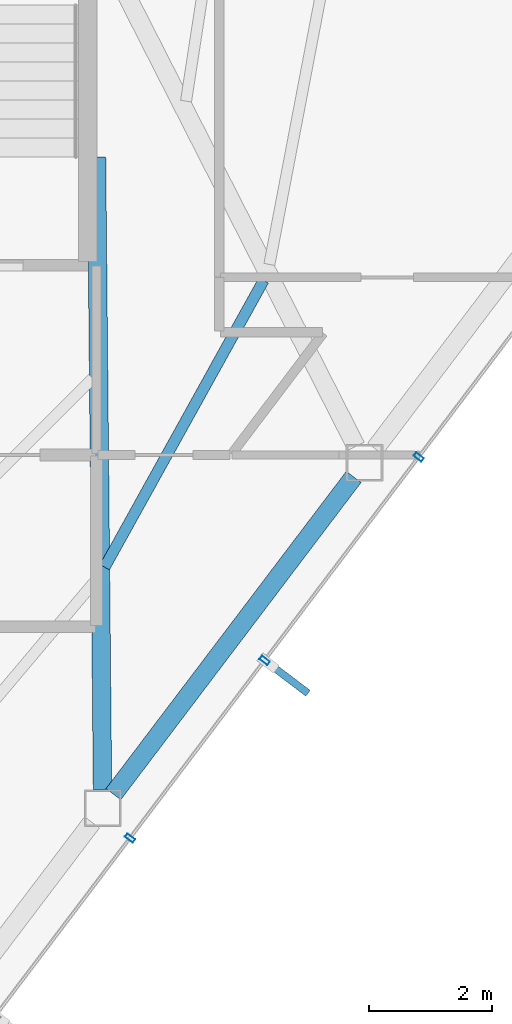
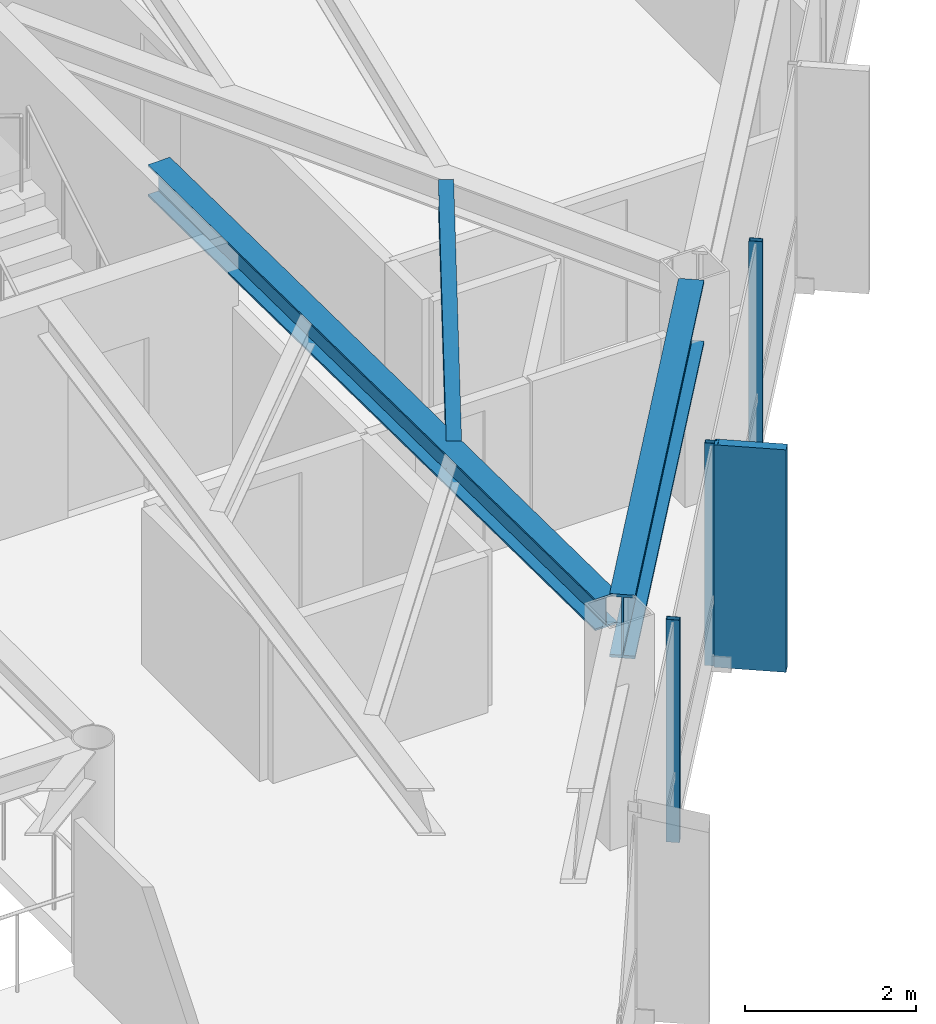
# One storey, part 17 of 28: 4 members, 3 beams, 1 element without a shape of its own.
"""IFC4 building model written with IfcOpenShell, lengths in metres."""

from ifc_helpers import new_model, si_unit, direction, frame, origin, origin_2d, place, context, subcontext, project, spatial, rectangle, hollow_rectangle, i_section, extrude, material, layer, layer_set, material_profile, profile_set, type_object, element, aggregate, save


model = new_model("IFC4")

# Units and contexts
model_context = context("Model", 3, precision=1e-05, world=origin(), true_north=direction((0.0, 1.0)))
body_context = subcontext(model_context, "Body", "Model", "MODEL_VIEW")
ifc_project = project(units=[si_unit("LENGTHUNIT", "METRE"), si_unit("AREAUNIT", "SQUARE_METRE"), si_unit("VOLUMEUNIT", "CUBIC_METRE"), si_unit("PLANEANGLEUNIT", "RADIAN"), si_unit("MASSUNIT", "GRAM", prefix="KILO")], contexts=[model_context])

# Site, building, storey
site_placement = place(None, origin())
site = spatial("IfcSite", under=ifc_project, at=site_placement, CompositionType="ELEMENT")
building_placement = place(site_placement, origin())
building = spatial("IfcBuilding", under=site, at=building_placement, Name="Zarrinselat Tower", CompositionType="ELEMENT")
storey_placement = place(building_placement, frame((0.0, 0.0, 222.360107421875)))
storey = spatial("IfcBuildingStorey", under=building, at=storey_placement, Name="L55", CompositionType="ELEMENT", Elevation=222.360107421875)

# Beams
ifc_material_1 = material(Name="Steel S355J2", Category="steel")
ifc_material_profile_1 = material_profile(ifc_material_1, i_section(OverallWidth=0.300048828125, OverallDepth=0.449951171875, WebThickness=0.013916015625, FlangeThickness=0.02587890625, at=origin_2d()), Name="HEB 450")
ifc_profile_set_1 = profile_set([ifc_material_profile_1], Name="Steel S355J2")
beam_type_1 = type_object("IfcBeamType", Name="BM-HEB450", PredefinedType="BEAM", material=ifc_profile_set_1)
beam_1_placement = place(storey_placement, frame((48.35009765625, 35.0, 2.954833984375), z_axis=(0.009453657709, -0.99995531318, 0.0), x_axis=(0.99995531318, 0.009453657709, 0.0)))
element("IfcBeam", 1, at=beam_1_placement, inside=storey, type_object=beam_type_1, Name="L55 Radial Primary Girder RG12", PredefinedType="BEAM", context=body_context, shape_type="SweptSolid", body=[
    extrude(i_section(OverallWidth=0.300048828125, OverallDepth=0.449951171875, WebThickness=0.013916015625, FlangeThickness=0.02587890625, at=origin_2d()), origin(), (0.0, 0.0, 1.0), 10.30419921875),
])
ifc_material_2 = material(Name="Steel S460M", Category="steel")
ifc_material_profile_2 = material_profile(ifc_material_2, i_section(OverallWidth=0.302001953125, OverallDepth=0.909912109375, WebThickness=0.02099609375, FlangeThickness=0.0400390625, at=origin_2d()), Name="HEM 900")
ifc_profile_set_2 = profile_set([ifc_material_profile_2], Name="Steel S460M")
beam_type_2 = type_object("IfcBeamType", Name="BM-HEM900", PredefinedType="BEAM", material=ifc_profile_set_2)
beam_2_placement = place(storey_placement, frame((48.62451171875, 24.623779296875, 2.724853515625), z_axis=(0.603836664651, 0.797108074494, 0.0), x_axis=(-0.797108074494, 0.603836664651, 0.0)))
element("IfcBeam", 2, at=beam_2_placement, inside=storey, type_object=beam_type_2, Name="L55 Perimeter Spandrel Girder SP12", PredefinedType="BEAM", context=body_context, shape_type="SweptSolid", body=[
    extrude(i_section(OverallWidth=0.302001953125, OverallDepth=0.909912109375, WebThickness=0.02099609375, FlangeThickness=0.0400390625, at=origin_2d()), origin(), (0.0, 0.0, 1.0), 6.484130859375),
])
ifc_material_3 = material(Name="Steel S355J2", Category="steel")
ifc_material_profile_3 = material_profile(ifc_material_3, i_section(OverallWidth=0.179931640625, OverallDepth=0.39990234375, WebThickness=0.008544921875, FlangeThickness=0.013427734375, at=origin_2d()), Name="IPE 400")
ifc_profile_set_3 = profile_set([ifc_material_profile_3], Name="Steel S355J2")
beam_type_3 = type_object("IfcBeamType", Name="BM-IPE400", PredefinedType="JOIST", material=ifc_profile_set_3)
beam_3_placement = place(storey_placement, frame((48.482421875, 28.322021484375, 2.97998046875), z_axis=(0.484785015055, 0.874633345567, 0.0), x_axis=(-0.874633345567, 0.484785015055, 0.0)))
element("IfcBeam", 3, at=beam_3_placement, inside=storey, type_object=beam_type_3, Name="L55 Composite Floor Joist 4-1", PredefinedType="JOIST", context=body_context, shape_type="SweptSolid", body=[
    extrude(i_section(OverallWidth=0.179931640625, OverallDepth=0.39990234375, WebThickness=0.008544921875, FlangeThickness=0.013427734375, at=origin_2d()), origin(), (0.0, 0.0, 1.0), 5.34130859375),
])

# Curtain wall, members
ifc_material_4 = material(Name="Extruded Aluminium Alloy EN AW-6063 T6", Category="aluminium")
ifc_layer = layer(ifc_material_4, 0.169921875)
ifc_layer_set = layer_set([ifc_layer], Name="Extruded Aluminium Alloy EN AW-6063 T6")
curtain_wall_type = type_object("IfcCurtainWallType", Name="CWS-RES", PredefinedType="NOTDEFINED", material=ifc_layer_set)
curtain_wall_placement = place(storey_placement, origin())
curtain_wall = element("IfcCurtainWall", 4, at=curtain_wall_placement, inside=storey, type_object=curtain_wall_type, Name="L55 Unitised Curtain Wall CW-L55-E05", PredefinedType="NOTDEFINED")
ifc_material_5 = material(Name="Extruded Aluminium Alloy EN AW-6063 T6", Category="aluminium")
ifc_material_profile_4 = material_profile(ifc_material_5, hollow_rectangle(XDim=0.070068359375, YDim=0.159912109375, WallThickness=0.00390625, at=origin_2d()), Name="RHS 160x70x4")
ifc_profile_set_4 = profile_set([ifc_material_profile_4], Name="Extruded Aluminium Alloy EN AW-6063 T6")
member_type_1 = type_object("IfcMemberType", Name="MEM-CW-MUL2", PredefinedType="MULLION", material=ifc_profile_set_4)
member_1_placement = place(storey_placement, frame((48.896484375, 23.90673828125, 0.0), z_axis=(0.0, 0.0, 1.0), x_axis=(0.603859212041, 0.797090993572, 0.0)))
member_1 = element("IfcMember", 5, at=member_1_placement, type_object=member_type_1, Name="CW-L55-E05 Mullion 2", PredefinedType="MULLION", context=body_context, shape_type="SweptSolid", body=[
    extrude(hollow_rectangle(XDim=0.070068359375, YDim=0.159912109375, WallThickness=0.00390625, at=origin_2d()), origin(), (0.0, 0.0, 1.0), 3.179931640625),
])
member_2_placement = place(storey_placement, frame((51.08984375, 26.8017578125, 0.0), z_axis=(0.0, 0.0, 1.0), x_axis=(0.603859212041, 0.797090993572, 0.0)))
member_2 = element("IfcMember", 6, at=member_2_placement, type_object=member_type_1, Name="CW-L55-E05 Mullion 3", PredefinedType="MULLION", context=body_context, shape_type="SweptSolid", body=[
    extrude(hollow_rectangle(XDim=0.070068359375, YDim=0.159912109375, WallThickness=0.00390625, at=origin_2d()), origin(), (0.0, 0.0, 1.0), 3.179931640625),
])
member_3_placement = place(storey_placement, frame((53.598876953125, 30.11376953125, 0.0), z_axis=(0.0, 0.0, 1.0), x_axis=(0.603859212041, 0.797090993572, 0.0)))
member_3 = element("IfcMember", 7, at=member_3_placement, type_object=member_type_1, Name="CW-L55-E05 Mullion 4", PredefinedType="MULLION", context=body_context, shape_type="SweptSolid", body=[
    extrude(hollow_rectangle(XDim=0.070068359375, YDim=0.159912109375, WallThickness=0.00390625, at=origin_2d()), origin(), (0.0, 0.0, 1.0), 3.179931640625),
])
ifc_material_6 = material(Name="Honed Cream Travertine Stone", Category="masonry")
ifc_material_profile_5 = material_profile(ifc_material_6, rectangle(XDim=0.1201171875, YDim=0.85009765625, at=origin_2d()), Name="FIN 850x120")
ifc_profile_set_5 = profile_set([ifc_material_profile_5], Name="Honed Cream Travertine Stone")
member_type_2 = type_object("IfcMemberType", Name="MEM-STONE-FIN", PredefinedType="USERDEFINED", material=ifc_profile_set_5)
member_4_placement = place(storey_placement, frame((51.45654296875, 26.52392578125, 0.0), z_axis=(0.0, 0.0, 1.0), x_axis=(-0.603859212041, -0.797090993572, 0.0)))
member_4 = element("IfcMember", 8, at=member_4_placement, type_object=member_type_2, Name="L55 Stone Shading Fin CW-L55-E05-03", ObjectType="FIN", PredefinedType="USERDEFINED", context=body_context, shape_type="SweptSolid", body=[
    extrude(rectangle(XDim=0.1201171875, YDim=0.85009765625, at=origin_2d()), origin(), (0.0, 0.0, 1.0), 3.179931640625),
])
aggregate(curtain_wall, [member_1, member_2, member_4, member_3])

save(model, "model.ifc")
